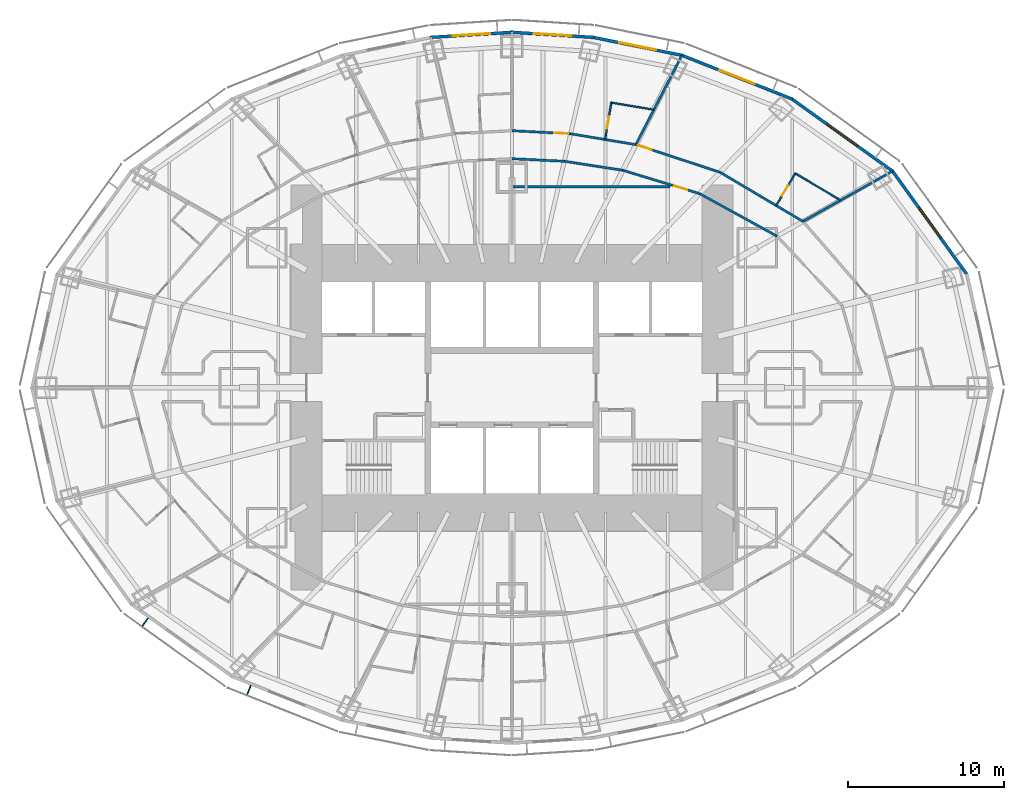
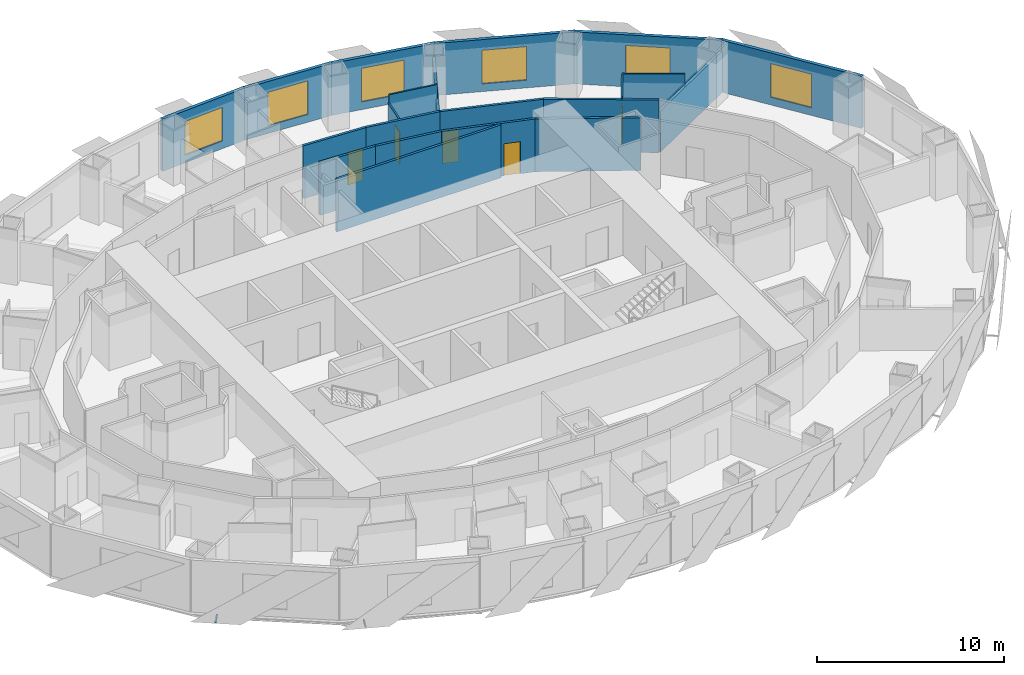
# One storey, part 10 of 15: 21 walls, 6 windows, 5 doors, 2 discrete accessories, 11 openings.
"""IFC4 building model written with IfcOpenShell, lengths in metres."""

from ifc_helpers import new_model, si_unit, direction, frame, frame_2d, origin, origin_2d, place, context, subcontext, project, spatial, rectangle, extrude, material, layer, layer_set, type_object, element, fill, save


model = new_model("IFC4")

# Units and contexts
model_context = context("Model", 3, precision=1e-05, world=origin(), true_north=direction((0.0, 1.0)))
body_context = subcontext(model_context, "Body", "Model", "MODEL_VIEW")
ifc_project = project(units=[si_unit("LENGTHUNIT", "METRE"), si_unit("AREAUNIT", "SQUARE_METRE"), si_unit("VOLUMEUNIT", "CUBIC_METRE"), si_unit("PLANEANGLEUNIT", "RADIAN"), si_unit("MASSUNIT", "GRAM", prefix="KILO")], contexts=[model_context])

# Site, building, storey
site_placement = place(None, origin())
site = spatial("IfcSite", under=ifc_project, at=site_placement, CompositionType="ELEMENT")
building_placement = place(site_placement, origin())
building = spatial("IfcBuilding", under=site, at=building_placement, Name="Lantaw Convention Tower", CompositionType="ELEMENT")
storey_placement = place(building_placement, frame((0.0, 0.0, 65.800048828125)))
storey = spatial("IfcBuildingStorey", under=building, at=storey_placement, Name="L14", CompositionType="ELEMENT", Elevation=65.800048828125)

# Wall
ifc_material_1 = material(Name="Gypsum board on steel studs", Category="steel")
ifc_layer_1 = layer(ifc_material_1, 0.14990234375)
ifc_layer_set_1 = layer_set([ifc_layer_1], Name="Back of house wall 150")
wall_type_1 = type_object("IfcWallType", Name="Back of house wall 150", PredefinedType="PARTITIONING", material=ifc_layer_set_1)
wall_1_placement = place(storey_placement, frame((10.15283203125, 12.89990234375, 0.0), z_axis=(0.0, 0.0, 1.0), x_axis=(-1.0, 0.0, 0.0)))
element("IfcWall", 1, at=wall_1_placement, inside=storey, type_object=wall_type_1, Name="Back of house wall 150", PredefinedType="PARTITIONING", context=body_context, shape_type="SweptSolid", body=[
    extrude(rectangle(XDim=10.15283203125, YDim=0.14990234375, at=frame_2d((5.076416015625, 0.0))), origin(), (0.0, 0.0, 1.0), 3.449951171875),
])

# Wall, opening, door
ifc_material_2 = material(Name="Moisture resistant gypsum board on steel studs", Category="steel")
ifc_layer_2 = layer(ifc_material_2, 0.10009765625)
ifc_layer_set_2 = layer_set([ifc_layer_2], Name="Bathroom wall 100")
wall_type_2 = type_object("IfcWallType", Name="Bathroom wall 100", PredefinedType="PARTITIONING", material=ifc_layer_set_2)
wall_2_placement = place(storey_placement, frame((16.961181640625, 11.6953125, 0.0), z_axis=(0.0, 0.0, 1.0), x_axis=(0.510075642074, 0.860129548012, 0.0)))
wall_2 = element("IfcWall", 2, at=wall_2_placement, inside=storey, type_object=wall_type_2, Name="Bathroom wall 100", PredefinedType="PARTITIONING", context=body_context, shape_type="SweptSolid", body=[
    extrude(rectangle(XDim=2.39990234375, YDim=0.10009765625, at=frame_2d((1.199951171875, 0.0))), origin(), (0.0, 0.0, 1.0), 3.449951171875),
])
opening_1_placement = place(wall_2_placement, frame((0.699951171875, 0.0, 0.0)))
opening_1 = element("IfcOpeningElement", 3, at=opening_1_placement, cuts=wall_2, Name="Opening L14.28", PredefinedType="OPENING", context=body_context, shape_type="SweptSolid", body=[
    extrude(rectangle(XDim=0.800048828125, YDim=2.10009765625, at=frame_2d((0.39990234375, 1.050048828125))), frame((0.0, 0.06005859375, 0.0), z_axis=(0.0, -1.0, 0.0), x_axis=(1.0, 0.0, 0.0)), (0.0, 0.0, 1.0), 0.1201171875),
])
ifc_material_3 = material(Name="Timber", Category="wood")
door_type_1 = type_object("IfcDoorType", Name="Bathroom door 800", OperationType="SINGLE_SWING_LEFT", PredefinedType="DOOR", material=ifc_material_3)
door_1_placement = place(opening_1_placement, origin())
door_1 = element("IfcDoor", 4, at=door_1_placement, inside=storey, type_object=door_type_1, Name="Bathroom door", OperationType="SINGLE_SWING_LEFT", OverallHeight=2.10009765625, OverallWidth=0.800048828125, PredefinedType="DOOR", context=body_context, shape_type="SweptSolid", body=[
    extrude(rectangle(XDim=0.800048828125, YDim=2.10009765625, at=frame_2d((0.39990234375, 1.050048828125))), frame((0.0, 0.02490234375, 0.0), z_axis=(0.0, -1.0, 0.0), x_axis=(1.0, 0.0, 0.0)), (0.0, 0.0, 1.0), 0.050048828125),
])
fill(opening_1, door_1)

# Wall
wall_3_placement = place(storey_placement, frame((18.185302734375, 13.759521484375, 0.0), z_axis=(0.0, 0.0, 1.0), x_axis=(0.860146437071, -0.510047161343, 0.0)))
element("IfcWall", 5, at=wall_3_placement, inside=storey, type_object=wall_type_2, Name="Bathroom wall 100", PredefinedType="PARTITIONING", context=body_context, shape_type="SweptSolid", body=[
    extrude(rectangle(XDim=3.362548828125, YDim=0.10009765625, at=frame_2d((1.68115234375, 0.0))), origin(), (0.0, 0.0, 1.0), 3.449951171875),
])

# Wall, opening, door
wall_4_placement = place(storey_placement, frame((5.979248046875, 15.935302734375, 0.0), z_axis=(0.0, 0.0, 1.0), x_axis=(0.164283516215, 0.986413162067, 0.0)))
wall_4 = element("IfcWall", 6, at=wall_4_placement, inside=storey, type_object=wall_type_2, Name="Bathroom wall 100", PredefinedType="PARTITIONING", context=body_context, shape_type="SweptSolid", body=[
    extrude(rectangle(XDim=2.400146484375, YDim=0.10009765625, at=frame_2d((1.2001953125, 0.0))), origin(), (0.0, 0.0, 1.0), 2.9140625),
])
opening_2_placement = place(wall_4_placement, frame((0.699951171875, 0.0, 0.0)))
opening_2 = element("IfcOpeningElement", 7, at=opening_2_placement, cuts=wall_4, Name="Opening L14.30", PredefinedType="OPENING", context=body_context, shape_type="SweptSolid", body=[
    extrude(rectangle(XDim=0.800048828125, YDim=2.10009765625, at=frame_2d((0.39990234375, 1.050048828125))), frame((0.0, 0.06005859375, 0.0), z_axis=(0.0, -1.0, 0.0), x_axis=(1.0, 0.0, 0.0)), (0.0, 0.0, 1.0), 0.1201171875),
])
door_2_placement = place(opening_2_placement, origin())
door_2 = element("IfcDoor", 8, at=door_2_placement, inside=storey, type_object=door_type_1, Name="Bathroom door", OperationType="SINGLE_SWING_LEFT", OverallHeight=2.10009765625, OverallWidth=0.800048828125, PredefinedType="DOOR", context=body_context, shape_type="SweptSolid", body=[
    extrude(rectangle(XDim=0.800048828125, YDim=2.10009765625, at=frame_2d((0.39990234375, 1.050048828125))), frame((0.0, 0.02490234375, 0.0), z_axis=(0.0, -1.0, 0.0), x_axis=(1.0, 0.0, 0.0)), (0.0, 0.0, 1.0), 0.050048828125),
])
fill(opening_2, door_2)

# Walls
wall_5_placement = place(storey_placement, frame((6.37353515625, 18.302734375, 0.0), z_axis=(0.0, 0.0, 1.0), x_axis=(0.98640348956, -0.164341582641, 0.0)))
element("IfcWall", 9, at=wall_5_placement, inside=storey, type_object=wall_type_2, Name="Bathroom wall 100", PredefinedType="PARTITIONING", context=body_context, shape_type="SweptSolid", body=[
    extrude(rectangle(XDim=2.7587890625, YDim=0.10009765625, at=frame_2d((1.37939453125, 0.0))), origin(), (0.0, 0.0, 1.0), 3.449951171875),
])
ifc_material_4 = material(Name="Gypsum board on steel studs, fire rated", Category="steel")
ifc_layer_3 = layer(ifc_material_4, 0.14990234375)
ifc_layer_set_3 = layer_set([ifc_layer_3], Name="Corridor wall 150 EI 60")
wall_type_3 = type_object("IfcWallType", Name="Corridor wall 150 EI 60", PredefinedType="PARTITIONING", material=ifc_layer_set_3)
wall_6_placement = place(storey_placement, frame((18.681396484375, 10.675048828125, 0.0), z_axis=(0.0, 0.0, 1.0), x_axis=(-0.860147339762, 0.510045639036, 0.0)))
element("IfcWall", 10, at=wall_6_placement, inside=storey, type_object=wall_type_3, Name="Corridor wall 150", PredefinedType="PARTITIONING", context=body_context, shape_type="SweptSolid", body=[
    extrude(rectangle(XDim=6.189697265625, YDim=0.14990234375, at=frame_2d((3.0947265625, 0.0))), origin(), (0.0, 0.0, 1.0), 3.449951171875),
])

# Wall, opening, door
wall_7_placement = place(storey_placement, frame((13.357421875, 13.83203125, 0.0), z_axis=(0.0, 0.0, 1.0), x_axis=(-0.950106803111, 0.311924770869, 0.0)))
wall_7 = element("IfcWall", 11, at=wall_7_placement, inside=storey, type_object=wall_type_3, Name="Corridor wall 150", PredefinedType="PARTITIONING", context=body_context, shape_type="SweptSolid", body=[
    extrude(rectangle(XDim=5.689453125, YDim=0.14990234375, at=frame_2d((2.8447265625, 0.0))), origin(), (0.0, 0.0, 1.0), 3.449951171875),
])
opening_3_placement = place(wall_7_placement, frame((4.639404296875, 0.0, 0.0)))
opening_3 = element("IfcOpeningElement", 12, at=opening_3_placement, cuts=wall_7, Name="Opening L14.29", PredefinedType="OPENING", context=body_context, shape_type="SweptSolid", body=[
    extrude(rectangle(XDim=0.89990234375, YDim=2.10009765625, at=frame_2d((0.449951171875, 1.050048828125))), frame((0.0, 0.0849609375, 0.0), z_axis=(0.0, -1.0, 0.0), x_axis=(1.0, 0.0, 0.0)), (0.0, 0.0, 1.0), 0.169921875),
])
ifc_material_5 = material(Name="Steel, fire rated", Category="steel")
door_type_2 = type_object("IfcDoorType", Name="Guest room entrance door FD30S", OperationType="SINGLE_SWING_LEFT", PredefinedType="DOOR", material=ifc_material_5)
door_3_placement = place(opening_3_placement, origin())
door_3 = element("IfcDoor", 13, at=door_3_placement, inside=storey, type_object=door_type_2, Name="Junior suite entrance door", OperationType="SINGLE_SWING_LEFT", OverallHeight=2.10009765625, OverallWidth=0.89990234375, PredefinedType="DOOR", context=body_context, shape_type="SweptSolid", body=[
    extrude(rectangle(XDim=0.89990234375, YDim=2.10009765625, at=frame_2d((0.449951171875, 1.050048828125))), frame((0.0, 0.02490234375, 0.0), z_axis=(0.0, -1.0, 0.0), x_axis=(1.0, 0.0, 0.0)), (0.0, 0.0, 1.0), 0.050048828125),
])
fill(opening_3, door_3)

# Wall
wall_8_placement = place(storey_placement, frame((7.951904296875, 15.606689453125, 0.0), z_axis=(0.0, 0.0, 1.0), x_axis=(-0.98641101506, 0.164296407044, 0.0)))
element("IfcWall", 14, at=wall_8_placement, inside=storey, type_object=wall_type_3, Name="Corridor wall 150", PredefinedType="PARTITIONING", context=body_context, shape_type="SweptSolid", body=[
    extrude(rectangle(XDim=4.245361328125, YDim=0.14990234375, at=frame_2d((2.12255859375, 0.0))), origin(), (0.0, 0.0, 1.0), 3.449951171875),
])

# Wall, opening, door
wall_9_placement = place(storey_placement, frame((3.76416015625, 16.30419921875, 0.0), z_axis=(0.0, 0.0, 1.0), x_axis=(-0.998649848759, 0.05194689186, 0.0)))
wall_9 = element("IfcWall", 15, at=wall_9_placement, inside=storey, type_object=wall_type_3, Name="Corridor wall 150", PredefinedType="PARTITIONING", context=body_context, shape_type="SweptSolid", body=[
    extrude(rectangle(XDim=3.769287109375, YDim=0.14990234375, at=frame_2d((1.884765625, 0.0))), origin(), (0.0, 0.0, 1.0), 3.449951171875),
])
opening_4_placement = place(wall_9_placement, frame((0.14990234375, 0.0, 0.0)))
opening_4 = element("IfcOpeningElement", 16, at=opening_4_placement, cuts=wall_9, Name="Opening L14.31", PredefinedType="OPENING", context=body_context, shape_type="SweptSolid", body=[
    extrude(rectangle(XDim=0.89990234375, YDim=2.10009765625, at=frame_2d((0.449951171875, 1.050048828125))), frame((0.0, 0.0849609375, 0.0), z_axis=(0.0, -1.0, 0.0), x_axis=(1.0, 0.0, 0.0)), (0.0, 0.0, 1.0), 0.169921875),
])
door_4_placement = place(opening_4_placement, origin())
door_4 = element("IfcDoor", 17, at=door_4_placement, inside=storey, type_object=door_type_2, Name="Junior suite entrance door", OperationType="SINGLE_SWING_LEFT", OverallHeight=2.10009765625, OverallWidth=0.89990234375, PredefinedType="DOOR", context=body_context, shape_type="SweptSolid", body=[
    extrude(rectangle(XDim=0.89990234375, YDim=2.10009765625, at=frame_2d((0.449951171875, 1.050048828125))), frame((0.0, 0.02490234375, 0.0), z_axis=(0.0, -1.0, 0.0), x_axis=(1.0, 0.0, 0.0)), (0.0, 0.0, 1.0), 0.050048828125),
])
fill(opening_4, door_4)

# Wall
wall_10_placement = place(storey_placement, frame((17.020751953125, 9.72607421875, 0.0), z_axis=(0.0, 0.0, 1.0), x_axis=(-0.876522084062, 0.481361647986, 0.0)))
element("IfcWall", 18, at=wall_10_placement, inside=storey, type_object=wall_type_3, Name="Corridor wall 150", PredefinedType="PARTITIONING", context=body_context, shape_type="SweptSolid", body=[
    extrude(rectangle(XDim=5.68701171875, YDim=0.14990234375, at=frame_2d((2.843505859375, 0.0))), origin(), (0.0, 0.0, 1.0), 3.449951171875),
])

# Wall, opening, door
wall_11_placement = place(storey_placement, frame((12.035888671875, 12.463623046875, 0.0), z_axis=(0.0, 0.0, 1.0), x_axis=(-0.956795045135, 0.290763205385, 0.0)))
wall_11 = element("IfcWall", 19, at=wall_11_placement, inside=storey, type_object=wall_type_3, Name="Corridor wall 150", PredefinedType="PARTITIONING", context=body_context, shape_type="SweptSolid", body=[
    extrude(rectangle(XDim=5.1455078125, YDim=0.14990234375, at=frame_2d((2.57275390625, 0.0))), origin(), (0.0, 0.0, 1.0), 3.449951171875),
])
opening_5_placement = place(wall_11_placement, frame((0.81640625, 0.0, 0.0)))
opening_5 = element("IfcOpeningElement", 20, at=opening_5_placement, cuts=wall_11, Name="Opening L14.16", PredefinedType="OPENING", context=body_context, shape_type="SweptSolid", body=[
    extrude(rectangle(XDim=0.89990234375, YDim=2.10009765625, at=frame_2d((0.449951171875, 1.050048828125))), frame((0.0, 0.0849609375, 0.0), z_axis=(0.0, -1.0, 0.0), x_axis=(1.0, 0.0, 0.0)), (0.0, 0.0, 1.0), 0.169921875),
])
door_type_3 = type_object("IfcDoorType", Name="Service door 900 FD30", OperationType="SINGLE_SWING_LEFT", PredefinedType="DOOR", material=ifc_material_5)
door_5_placement = place(opening_5_placement, origin())
door_5 = element("IfcDoor", 21, at=door_5_placement, inside=storey, type_object=door_type_3, Name="Linen store room door", OperationType="SINGLE_SWING_LEFT", OverallHeight=2.10009765625, OverallWidth=0.89990234375, PredefinedType="DOOR", context=body_context, shape_type="SweptSolid", body=[
    extrude(rectangle(XDim=0.89990234375, YDim=2.10009765625, at=frame_2d((0.449951171875, 1.050048828125))), frame((0.0, 0.02490234375, 0.0), z_axis=(0.0, -1.0, 0.0), x_axis=(1.0, 0.0, 0.0)), (0.0, 0.0, 1.0), 0.050048828125),
])
fill(opening_5, door_5)

# Walls
wall_12_placement = place(storey_placement, frame((7.11279296875, 13.959716796875, 0.0), z_axis=(0.0, 0.0, 1.0), x_axis=(-0.988343461108, 0.152240608529, 0.0)))
element("IfcWall", 22, at=wall_12_placement, inside=storey, type_object=wall_type_3, Name="Corridor wall 150", PredefinedType="PARTITIONING", context=body_context, shape_type="SweptSolid", body=[
    extrude(rectangle(XDim=3.800537109375, YDim=0.14990234375, at=frame_2d((1.900390625, 0.0))), origin(), (0.0, 0.0, 1.0), 3.449951171875),
])
wall_13_placement = place(storey_placement, frame((3.3564453125, 14.538330078125, 0.0), z_axis=(0.0, 0.0, 1.0), x_axis=(-0.998842682549, 0.048096730859, 0.0)))
element("IfcWall", 23, at=wall_13_placement, inside=storey, type_object=wall_type_3, Name="Corridor wall 150", PredefinedType="PARTITIONING", context=body_context, shape_type="SweptSolid", body=[
    extrude(rectangle(XDim=3.3603515625, YDim=0.14990234375, at=frame_2d((1.68017578125, 0.0))), origin(), (0.0, 0.0, 1.0), 3.449951171875),
])

# Wall, opening, window
ifc_material_6 = material(Name="Insulated aluminium panel on steel frame", Category="steel")
ifc_layer_4 = layer(ifc_material_6, 0.199951171875)
ifc_layer_set_4 = layer_set([ifc_layer_4], Name="External wall 200")
wall_type_4 = type_object("IfcWallType", Name="External wall 200", PredefinedType="SOLIDWALL", material=ifc_layer_set_4)
wall_14_placement = place(storey_placement, frame((29.260498046875, 7.199951171875, 0.0), z_axis=(0.0, 0.0, 1.0), x_axis=(-0.583937613703, 0.811798536155, 0.0)))
wall_14 = element("IfcWall", 24, at=wall_14_placement, inside=storey, type_object=wall_type_4, Name="Facade panel wall", PredefinedType="SOLIDWALL", context=body_context, shape_type="SweptSolid", body=[
    extrude(rectangle(XDim=8.322998046875, YDim=0.199951171875, at=frame_2d((4.16162109375, 0.0))), origin(), (0.0, 0.0, 1.0), 3.39990234375),
])
opening_6_placement = place(wall_14_placement, frame((2.96142578125, 0.0, 0.5)))
opening_6 = element("IfcOpeningElement", 25, at=opening_6_placement, cuts=wall_14, Name="Opening W1", PredefinedType="OPENING", context=body_context, shape_type="SweptSolid", body=[
    extrude(rectangle(XDim=2.39990234375, YDim=2.199951171875, at=frame_2d((1.199951171875, 1.10009765625))), frame((0.0, 0.10986328125, 0.0), z_axis=(0.0, -1.0, 0.0), x_axis=(1.0, 0.0, 0.0)), (0.0, 0.0, 1.0), 0.219970703125),
])
ifc_material_7 = material(Name="Aluminium frame, clear insulating glass", Category="aluminium")
window_type = type_object("IfcWindowType", Name="Guest room window 2400x2200", PartitioningType="SINGLE_PANEL", PredefinedType="WINDOW", material=ifc_material_7)
window_1_placement = place(opening_6_placement, origin())
window_1 = element("IfcWindow", 26, at=window_1_placement, inside=storey, type_object=window_type, Name="Guest room window", OverallHeight=2.199951171875, OverallWidth=2.39990234375, PartitioningType="SINGLE_PANEL", PredefinedType="WINDOW", context=body_context, shape_type="SweptSolid", body=[
    extrude(rectangle(XDim=2.39990234375, YDim=2.199951171875, at=frame_2d((1.199951171875, 1.10009765625))), frame((0.0, 0.030029296875, 0.0), z_axis=(0.0, -1.0, 0.0), x_axis=(1.0, 0.0, 0.0)), (0.0, 0.0, 1.0), 0.06005859375),
])
fill(opening_6, window_1)

wall_15_placement = place(storey_placement, frame((24.482421875, 13.87451171875, 0.0), z_axis=(0.0, 0.0, 1.0), x_axis=(-0.812791321576, 0.582554948112, 0.0)))
wall_15 = element("IfcWall", 27, at=wall_15_placement, inside=storey, type_object=wall_type_4, Name="Facade panel wall", PredefinedType="SOLIDWALL", context=body_context, shape_type="SweptSolid", body=[
    extrude(rectangle(XDim=8.063232421875, YDim=0.199951171875, at=frame_2d((4.03173828125, 0.0))), origin(), (0.0, 0.0, 1.0), 3.39990234375),
])
opening_7_placement = place(wall_15_placement, frame((2.83154296875, 0.0, 0.5)))
opening_7 = element("IfcOpeningElement", 28, at=opening_7_placement, cuts=wall_15, Name="Opening W1", PredefinedType="OPENING", context=body_context, shape_type="SweptSolid", body=[
    extrude(rectangle(XDim=2.39990234375, YDim=2.199951171875, at=frame_2d((1.199951171875, 1.10009765625))), frame((0.0, 0.10986328125, 0.0), z_axis=(0.0, -1.0, 0.0), x_axis=(1.0, 0.0, 0.0)), (0.0, 0.0, 1.0), 0.219970703125),
])
window_2_placement = place(opening_7_placement, origin())
window_2 = element("IfcWindow", 29, at=window_2_placement, inside=storey, type_object=window_type, Name="Guest room window", OverallHeight=2.199951171875, OverallWidth=2.39990234375, PartitioningType="SINGLE_PANEL", PredefinedType="WINDOW", context=body_context, shape_type="SweptSolid", body=[
    extrude(rectangle(XDim=2.39990234375, YDim=2.199951171875, at=frame_2d((1.199951171875, 1.10009765625))), frame((0.0, 0.030029296875, 0.0), z_axis=(0.0, -1.0, 0.0), x_axis=(1.0, 0.0, 0.0)), (0.0, 0.0, 1.0), 0.06005859375),
])
fill(opening_7, window_2)

wall_16_placement = place(storey_placement, frame((18.018310546875, 18.522705078125, 0.0), z_axis=(0.0, 0.0, 1.0), x_axis=(-0.929358351251, 0.369178892895, 0.0)))
wall_16 = element("IfcWall", 30, at=wall_16_placement, inside=storey, type_object=wall_type_4, Name="Facade panel wall", PredefinedType="SOLIDWALL", context=body_context, shape_type="SweptSolid", body=[
    extrude(rectangle(XDim=7.6923828125, YDim=0.199951171875, at=frame_2d((3.84619140625, 0.0))), origin(), (0.0, 0.0, 1.0), 3.39990234375),
])
opening_8_placement = place(wall_16_placement, frame((2.64599609375, 0.0, 0.5)))
opening_8 = element("IfcOpeningElement", 31, at=opening_8_placement, cuts=wall_16, Name="Opening W1", PredefinedType="OPENING", context=body_context, shape_type="SweptSolid", body=[
    extrude(rectangle(XDim=2.39990234375, YDim=2.199951171875, at=frame_2d((1.199951171875, 1.10009765625))), frame((0.0, 0.10986328125, 0.0), z_axis=(0.0, -1.0, 0.0), x_axis=(1.0, 0.0, 0.0)), (0.0, 0.0, 1.0), 0.219970703125),
])
window_3_placement = place(opening_8_placement, origin())
window_3 = element("IfcWindow", 32, at=window_3_placement, inside=storey, type_object=window_type, Name="Guest room window", OverallHeight=2.199951171875, OverallWidth=2.39990234375, PartitioningType="SINGLE_PANEL", PredefinedType="WINDOW", context=body_context, shape_type="SweptSolid", body=[
    extrude(rectangle(XDim=2.39990234375, YDim=2.199951171875, at=frame_2d((1.199951171875, 1.10009765625))), frame((0.0, 0.030029296875, 0.0), z_axis=(0.0, -1.0, 0.0), x_axis=(1.0, 0.0, 0.0)), (0.0, 0.0, 1.0), 0.06005859375),
])
fill(opening_8, window_3)

wall_17_placement = place(storey_placement, frame((10.956787109375, 21.336669921875, 0.0), z_axis=(0.0, 0.0, 1.0), x_axis=(-0.980251657452, 0.197754110105, 0.0)))
wall_17 = element("IfcWall", 33, at=wall_17_placement, inside=storey, type_object=wall_type_4, Name="Facade panel wall", PredefinedType="SOLIDWALL", context=body_context, shape_type="SweptSolid", body=[
    extrude(rectangle(XDim=5.90380859375, YDim=0.199951171875, at=frame_2d((2.951904296875, 0.0))), origin(), (0.0, 0.0, 1.0), 3.39990234375),
])
opening_9_placement = place(wall_17_placement, frame((1.751708984375, 0.0, 0.5)))
opening_9 = element("IfcOpeningElement", 34, at=opening_9_placement, cuts=wall_17, Name="Opening W1", PredefinedType="OPENING", context=body_context, shape_type="SweptSolid", body=[
    extrude(rectangle(XDim=2.39990234375, YDim=2.199951171875, at=frame_2d((1.199951171875, 1.10009765625))), frame((0.0, 0.10986328125, 0.0), z_axis=(0.0, -1.0, 0.0), x_axis=(1.0, 0.0, 0.0)), (0.0, 0.0, 1.0), 0.219970703125),
])
window_4_placement = place(opening_9_placement, origin())
window_4 = element("IfcWindow", 35, at=window_4_placement, inside=storey, type_object=window_type, Name="Guest room window", OverallHeight=2.199951171875, OverallWidth=2.39990234375, PartitioningType="SINGLE_PANEL", PredefinedType="WINDOW", context=body_context, shape_type="SweptSolid", body=[
    extrude(rectangle(XDim=2.39990234375, YDim=2.199951171875, at=frame_2d((1.199951171875, 1.10009765625))), frame((0.0, 0.030029296875, 0.0), z_axis=(0.0, -1.0, 0.0), x_axis=(1.0, 0.0, 0.0)), (0.0, 0.0, 1.0), 0.06005859375),
])
fill(opening_9, window_4)

wall_18_placement = place(storey_placement, frame((5.252685546875, 22.493408203125, 0.0), z_axis=(0.0, 0.0, 1.0), x_axis=(-0.998018582375, 0.062919863585, 0.0)))
wall_18 = element("IfcWall", 36, at=wall_18_placement, inside=storey, type_object=wall_type_4, Name="Facade panel wall", PredefinedType="SOLIDWALL", context=body_context, shape_type="SweptSolid", body=[
    extrude(rectangle(XDim=5.30419921875, YDim=0.199951171875, at=frame_2d((2.652099609375, 0.0))), origin(), (0.0, 0.0, 1.0), 3.39990234375),
])
opening_10_placement = place(wall_18_placement, frame((1.4521484375, 0.0, 0.5)))
opening_10 = element("IfcOpeningElement", 37, at=opening_10_placement, cuts=wall_18, Name="Opening W1", PredefinedType="OPENING", context=body_context, shape_type="SweptSolid", body=[
    extrude(rectangle(XDim=2.39990234375, YDim=2.199951171875, at=frame_2d((1.199951171875, 1.10009765625))), frame((0.0, 0.10986328125, 0.0), z_axis=(0.0, -1.0, 0.0), x_axis=(1.0, 0.0, 0.0)), (0.0, 0.0, 1.0), 0.219970703125),
])
window_5_placement = place(opening_10_placement, origin())
window_5 = element("IfcWindow", 38, at=window_5_placement, inside=storey, type_object=window_type, Name="Guest room window", OverallHeight=2.199951171875, OverallWidth=2.39990234375, PartitioningType="SINGLE_PANEL", PredefinedType="WINDOW", context=body_context, shape_type="SweptSolid", body=[
    extrude(rectangle(XDim=2.39990234375, YDim=2.199951171875, at=frame_2d((1.199951171875, 1.10009765625))), frame((0.0, 0.030029296875, 0.0), z_axis=(0.0, -1.0, 0.0), x_axis=(1.0, 0.0, 0.0)), (0.0, 0.0, 1.0), 0.06005859375),
])
fill(opening_10, window_5)

wall_19_placement = place(storey_placement, frame((0.041015625, 22.8271484375, 0.0), z_axis=(0.0, 0.0, 1.0), x_axis=(-0.998018582375, -0.062919863585, 0.0)))
wall_19 = element("IfcWall", 39, at=wall_19_placement, inside=storey, type_object=wall_type_4, Name="Facade panel wall", PredefinedType="SOLIDWALL", context=body_context, shape_type="SweptSolid", body=[
    extrude(rectangle(XDim=5.30419921875, YDim=0.199951171875, at=frame_2d((2.652099609375, 0.0))), origin(), (0.0, 0.0, 1.0), 3.39990234375),
])
opening_11_placement = place(wall_19_placement, frame((1.4521484375, 0.0, 0.5)))
opening_11 = element("IfcOpeningElement", 40, at=opening_11_placement, cuts=wall_19, Name="Opening W1", PredefinedType="OPENING", context=body_context, shape_type="SweptSolid", body=[
    extrude(rectangle(XDim=2.39990234375, YDim=2.199951171875, at=frame_2d((1.199951171875, 1.10009765625))), frame((0.0, 0.10986328125, 0.0), z_axis=(0.0, -1.0, 0.0), x_axis=(1.0, 0.0, 0.0)), (0.0, 0.0, 1.0), 0.219970703125),
])
window_6_placement = place(opening_11_placement, origin())
window_6 = element("IfcWindow", 41, at=window_6_placement, inside=storey, type_object=window_type, Name="Guest room window", OverallHeight=2.199951171875, OverallWidth=2.39990234375, PartitioningType="SINGLE_PANEL", PredefinedType="WINDOW", context=body_context, shape_type="SweptSolid", body=[
    extrude(rectangle(XDim=2.39990234375, YDim=2.199951171875, at=frame_2d((1.199951171875, 1.10009765625))), frame((0.0, 0.030029296875, 0.0), z_axis=(0.0, -1.0, 0.0), x_axis=(1.0, 0.0, 0.0)), (0.0, 0.0, 1.0), 0.06005859375),
])
fill(opening_11, window_6)

# Walls
ifc_material_8 = material(Name="Gypsum board on steel studs, acoustic", Category="steel")
ifc_layer_5 = layer(ifc_material_8, 0.14990234375)
ifc_layer_set_5 = layer_set([ifc_layer_5], Name="Guest room party wall 150")
wall_type_5 = type_object("IfcWallType", Name="Guest room party wall 150", PredefinedType="PARTITIONING", material=ifc_layer_set_5)
wall_20_placement = place(storey_placement, frame((24.434814453125, 13.90869140625, 0.0), z_axis=(0.0, 0.0, 1.0), x_axis=(-0.871747379892, -0.489955616001, 0.0)))
element("IfcWall", 42, at=wall_20_placement, inside=storey, type_object=wall_type_5, Name="Guest room party wall 150", PredefinedType="PARTITIONING", context=body_context, shape_type="SweptSolid", body=[
    extrude(rectangle(XDim=6.599853515625, YDim=0.14990234375, at=frame_2d((3.2998046875, 0.0))), origin(), (0.0, 0.0, 1.0), 2.693115234375),
])
wall_21_placement = place(storey_placement, frame((10.911865234375, 21.345703125, 0.0), z_axis=(0.0, 0.0, 1.0), x_axis=(-0.458384799126, -0.888753833145, 0.0)))
element("IfcWall", 43, at=wall_21_placement, inside=storey, type_object=wall_type_5, Name="Guest room party wall 150", PredefinedType="PARTITIONING", context=body_context, shape_type="SweptSolid", body=[
    extrude(rectangle(XDim=6.457275390625, YDim=0.14990234375, at=frame_2d((3.228515625, 0.0))), origin(), (0.0, 0.0, 1.0), 2.52783203125),
])

# Discrete accessories
for number, where, z_axis, x_axis, name in (
    (44, (-23.564453125, -15.06640625, -0.114990234375), (0.0, 0.0, 1.0), (0.812803733199, -0.5825376308, 0.0), "Screen bracket"),
    (45, (-16.898193359375, -19.4345703125, -0.114990234375), (0.0, 0.0, 1.0), (0.929361152748, -0.369171840425, 0.0), "Screen bracket"),
):
    element("IfcDiscreteAccessory", number, at=place(storey_placement, frame(where, z_axis=z_axis, x_axis=x_axis)), inside=storey, Name=name, PredefinedType="BRACKET", context=body_context, shape_type="SweptSolid", body=[
        extrude(rectangle(XDim=0.080078125, YDim=0.68798828125, at=origin_2d()), origin(), (0.0, 0.0, 1.0), 0.080078125),
    ])

save(model, "model.ifc")
